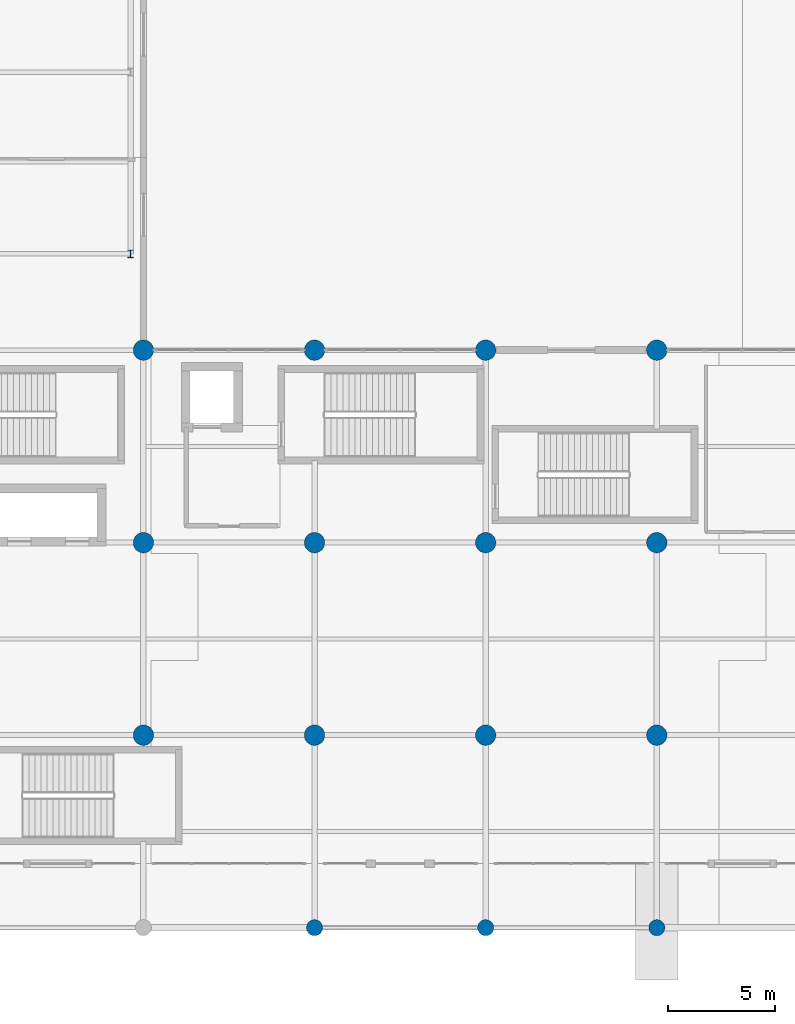
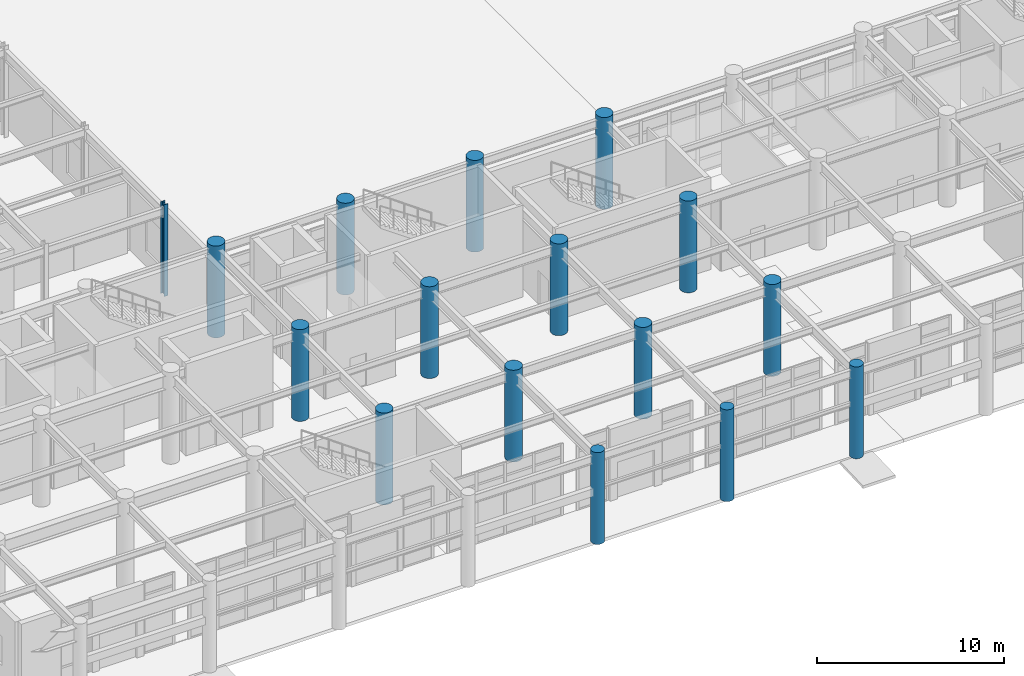
# One storey, part 2 of 49: 16 columns.
"""IFC4 building model written with IfcOpenShell, lengths in metres."""

from ifc_helpers import new_model, si_unit, direction, frame, origin, origin_2d, place, context, subcontext, project, spatial, circle, i_section, extrude, material, material_profile, profile_set, type_object, element, save


model = new_model("IFC4")

# Units and contexts
model_context = context("Model", 3, precision=1e-05, world=origin(), true_north=direction((0.0, 1.0)))
body_context = subcontext(model_context, "Body", "Model", "MODEL_VIEW")
ifc_project = project(units=[si_unit("LENGTHUNIT", "METRE"), si_unit("AREAUNIT", "SQUARE_METRE"), si_unit("VOLUMEUNIT", "CUBIC_METRE"), si_unit("PLANEANGLEUNIT", "RADIAN"), si_unit("MASSUNIT", "GRAM", prefix="KILO")], contexts=[model_context])

# Site, building, storey
site_placement = place(None, origin())
site = spatial("IfcSite", under=ifc_project, at=site_placement, CompositionType="ELEMENT")
building_placement = place(site_placement, origin())
building = spatial("IfcBuilding", under=site, at=building_placement, Name="Tlacozan Convention Centre", CompositionType="ELEMENT")
storey_placement = place(building_placement, origin())
storey = spatial("IfcBuildingStorey", under=building, at=storey_placement, Name="L00", CompositionType="ELEMENT", Elevation=0.0)

# Columns
ifc_material_1 = material(Name="Concrete C40/50", Category="concrete")
ifc_material_profile_1 = material_profile(ifc_material_1, circle(Radius=0.375, at=origin_2d()), Name="RCC D750")
ifc_profile_set_1 = profile_set([ifc_material_profile_1], Name="Concrete C40/50")
column_type_1 = type_object("IfcColumnType", Name="Column Round RCC D750", PredefinedType="COLUMN", material=ifc_profile_set_1)
for number, where, z_axis, x_axis, name in (
    (1, (40.0, 0.0, 0.0), (0.0, 0.0, 1.0), (1.0, 0.0, 0.0), "L00 Column 234"),
    (2, (48.0, 0.0, 0.0), (0.0, 0.0, 1.0), (1.0, 0.0, 0.0), "L00 Column 271"),
    (3, (56.0, 0.0, 0.0), (0.0, 0.0, 1.0), (1.0, 0.0, 0.0), "L00 Column 308"),
):
    element("IfcColumn", number, at=place(storey_placement, frame(where, z_axis=z_axis, x_axis=x_axis)), inside=storey, type_object=column_type_1, Name=name, PredefinedType="COLUMN", context=body_context, shape_type="SweptSolid", body=[
        extrude(circle(Radius=0.375, at=origin_2d()), origin(), (0.0, 0.0, 1.0), 6.0),
    ])
ifc_material_profile_2 = material_profile(ifc_material_1, circle(Radius=0.47509765625, at=origin_2d()), Name="RCC D950")
ifc_profile_set_2 = profile_set([ifc_material_profile_2], Name="Concrete C40/50")
column_type_2 = type_object("IfcColumnType", Name="Column Round RCC D950", PredefinedType="COLUMN", material=ifc_profile_set_2)
for number, where, z_axis, x_axis, name in (
    (4, (32.0, 9.0, 0.0), (0.0, 0.0, 1.0), (1.0, 0.0, 0.0), "L00 Column 203"),
    (5, (32.0, 18.0, 0.0), (0.0, 0.0, 1.0), (1.0, 0.0, 0.0), "L00 Column 209"),
    (6, (32.0, 27.0, 0.0), (0.0, 0.0, 1.0), (1.0, 0.0, 0.0), "L00 Column 215"),
    (7, (40.0, 9.0, 0.0), (0.0, 0.0, 1.0), (1.0, 0.0, 0.0), "L00 Column 240"),
    (8, (40.0, 18.0, 0.0), (0.0, 0.0, 1.0), (1.0, 0.0, 0.0), "L00 Column 246"),
    (9, (40.0, 27.0, 0.0), (0.0, 0.0, 1.0), (1.0, 0.0, 0.0), "L00 Column 252"),
    (10, (48.0, 9.0, 0.0), (0.0, 0.0, 1.0), (1.0, 0.0, 0.0), "L00 Column 277"),
    (11, (48.0, 18.0, 0.0), (0.0, 0.0, 1.0), (1.0, 0.0, 0.0), "L00 Column 283"),
    (12, (48.0, 27.0, 0.0), (0.0, 0.0, 1.0), (1.0, 0.0, 0.0), "L00 Column 289"),
    (13, (56.0, 9.0, 0.0), (0.0, 0.0, 1.0), (1.0, 0.0, 0.0), "L00 Column 314"),
    (14, (56.0, 18.0, 0.0), (0.0, 0.0, 1.0), (1.0, 0.0, 0.0), "L00 Column 320"),
    (15, (56.0, 27.0, 0.0), (0.0, 0.0, 1.0), (1.0, 0.0, 0.0), "L00 Column 326"),
):
    element("IfcColumn", number, at=place(storey_placement, frame(where, z_axis=z_axis, x_axis=x_axis)), inside=storey, type_object=column_type_2, Name=name, PredefinedType="COLUMN", context=body_context, shape_type="SweptSolid", body=[
        extrude(circle(Radius=0.47509765625, at=origin_2d()), origin(), (0.0, 0.0, 1.0), 6.0),
    ])
ifc_material_2 = material(Name="Steel ASTM A992 Grade 50", Category="steel")
ifc_material_profile_3 = material_profile(ifc_material_2, i_section(OverallWidth=0.257080078125, OverallDepth=0.363037109375, WebThickness=0.012939453125, FlangeThickness=0.021728515625, FilletRadius=0.014892578125, at=origin_2d()), Name="IR 356x122.0")
ifc_profile_set_3 = profile_set([ifc_material_profile_3], Name="Steel ASTM A992 Grade 50")
column_type_3 = type_object("IfcColumnType", Name="Column Steel IR 356x122", PredefinedType="COLUMN", material=ifc_profile_set_3)
column_placement = place(storey_placement, frame((31.39990234375, 31.5, 0.0), z_axis=(0.0, 0.0, 1.0), x_axis=(1.0, 0.0, 0.0)))
element("IfcColumn", 16, at=column_placement, inside=storey, type_object=column_type_3, Name="L00 Column 185", PredefinedType="COLUMN", context=body_context, shape_type="SweptSolid", body=[
    extrude(i_section(OverallWidth=0.257080078125, OverallDepth=0.363037109375, WebThickness=0.012939453125, FlangeThickness=0.021728515625, FilletRadius=0.014892578125, at=origin_2d()), origin(), (0.0, 0.0, 1.0), 6.0),
])

save(model, "model.ifc")
